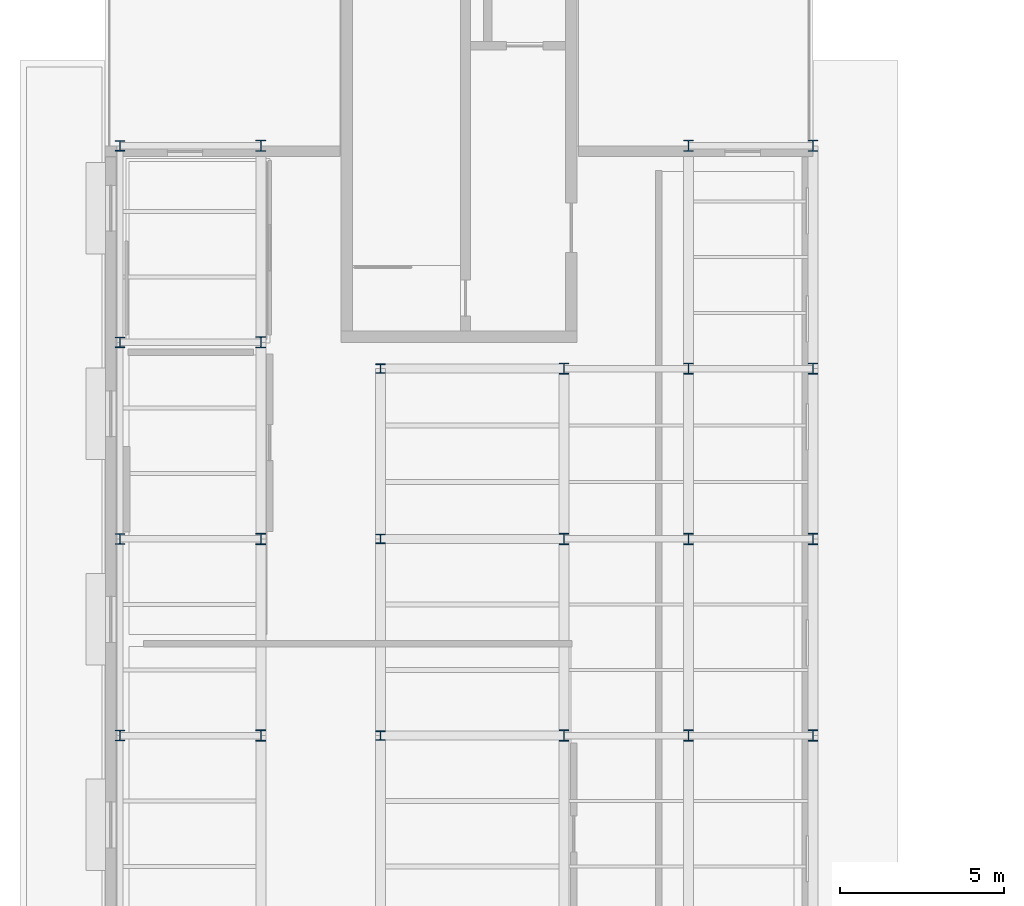
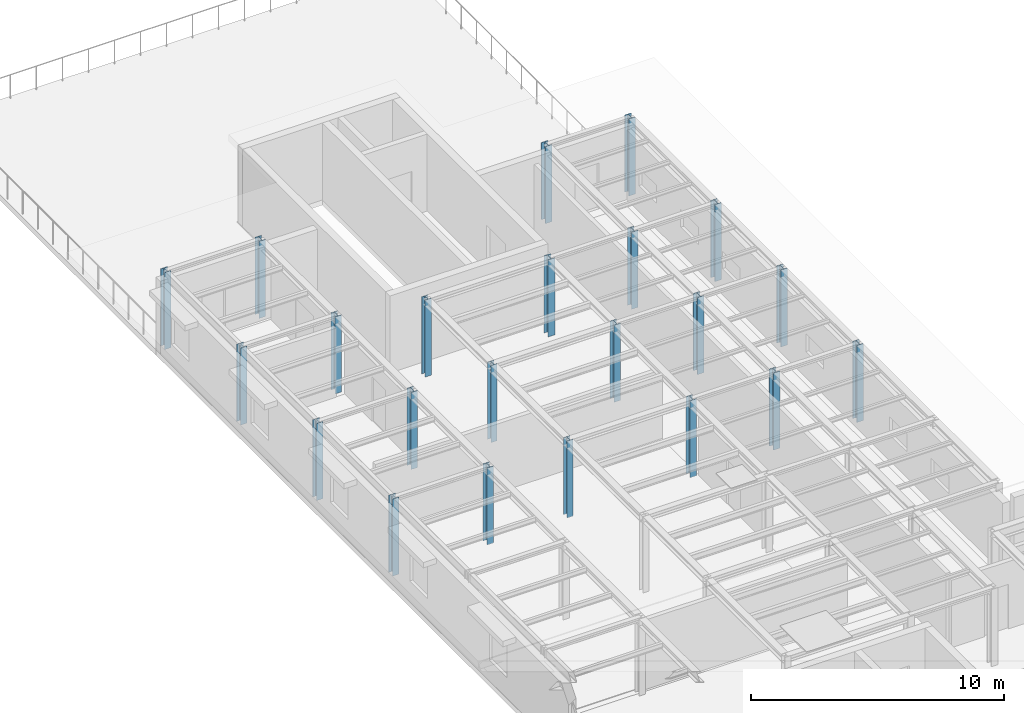
# One storey, part 3 of 10: 22 columns.
"""IFC4 building model written with IfcOpenShell, lengths in metres."""

from ifc_helpers import new_model, si_unit, direction, frame, origin, origin_2d, place, context, subcontext, project, spatial, i_section, extrude, material, material_profile, profile_set, type_object, element, save


model = new_model("IFC4")

# Units and contexts
model_context = context("Model", 3, precision=1e-05, world=origin(), true_north=direction((0.0, 1.0)))
body_context = subcontext(model_context, "Body", "Model", "MODEL_VIEW")
ifc_project = project(units=[si_unit("LENGTHUNIT", "METRE"), si_unit("AREAUNIT", "SQUARE_METRE"), si_unit("VOLUMEUNIT", "CUBIC_METRE"), si_unit("PLANEANGLEUNIT", "RADIAN"), si_unit("MASSUNIT", "GRAM", prefix="KILO")], contexts=[model_context])

# Site, building, storey
site_placement = place(None, origin())
site = spatial("IfcSite", under=ifc_project, at=site_placement, CompositionType="ELEMENT")
building_placement = place(site_placement, origin())
building = spatial("IfcBuilding", under=site, at=building_placement, Name="Kolvaren Corner Interchange", CompositionType="ELEMENT")
storey_placement = place(building_placement, frame((0.0, 0.0, 18.75)))
storey = spatial("IfcBuildingStorey", under=building, at=storey_placement, Name="L05", CompositionType="ELEMENT", Elevation=18.75)

# Columns
ifc_material_1 = material(Name="Steel S355", Category="steel")
ifc_material_profile_1 = material_profile(ifc_material_1, i_section(OverallWidth=0.280029296875, OverallDepth=0.280029296875, WebThickness=0.010498046875, FlangeThickness=0.01806640625, FilletRadius=0.02392578125, at=origin_2d()), Name="HEB 280")
ifc_profile_set_1 = profile_set([ifc_material_profile_1], Name="Steel S355")
column_type_1 = type_object("IfcColumnType", Name="COL-HEB280", PredefinedType="COLUMN", material=ifc_profile_set_1)
for number, where, z_axis, x_axis, name in (
    (1, (8.39990234375, 36.0, 0.0), (0.0, 0.0, 1.0), (1.0, 0.0, 0.0), "Storey L05 Structural Column 0235"),
    (2, (8.39990234375, 42.0, 0.0), (0.0, 0.0, 1.0), (1.0, 0.0, 0.0), "Storey L05 Structural Column 0241"),
    (3, (8.39990234375, 47.199951171875, 0.0), (0.0, 0.0, 1.0), (1.0, 0.0, 0.0), "Storey L05 Structural Column 0247"),
):
    element("IfcColumn", number, at=place(storey_placement, frame(where, z_axis=z_axis, x_axis=x_axis)), inside=storey, type_object=column_type_1, Name=name, PredefinedType="COLUMN", context=body_context, shape_type="SweptSolid", body=[
        extrude(i_section(OverallWidth=0.280029296875, OverallDepth=0.280029296875, WebThickness=0.010498046875, FlangeThickness=0.01806640625, FilletRadius=0.02392578125, at=origin_2d()), origin(), (0.0, 0.0, 1.0), 3.7099609375),
    ])
ifc_material_2 = material(Name="Steel S355", Category="steel")
ifc_material_profile_2 = material_profile(ifc_material_2, i_section(OverallWidth=0.300048828125, OverallDepth=0.320068359375, WebThickness=0.011474609375, FlangeThickness=0.0205078125, FilletRadius=0.027099609375, at=origin_2d()), Name="HEB 320")
ifc_profile_set_2 = profile_set([ifc_material_profile_2], Name="Steel S355")
column_type_2 = type_object("IfcColumnType", Name="COL-HEB320", PredefinedType="COLUMN", material=ifc_profile_set_2)
for number, where, z_axis, x_axis, name in (
    (4, (0.449951171875, 36.0, 0.0), (0.0, 0.0, 1.0), (1.0, 0.0, 0.0), "Storey L05 Structural Column 0035"),
    (5, (0.449951171875, 42.0, 0.0), (0.0, 0.0, 1.0), (1.0, 0.0, 0.0), "Storey L05 Structural Column 0040"),
    (6, (0.449951171875, 48.0, 0.0), (0.0, 0.0, 1.0), (1.0, 0.0, 0.0), "Storey L05 Structural Column 0045"),
    (7, (0.449951171875, 54.0, 0.0), (0.0, 0.0, 1.0), (1.0, 0.0, 0.0), "Storey L05 Structural Column 0050"),
):
    element("IfcColumn", number, at=place(storey_placement, frame(where, z_axis=z_axis, x_axis=x_axis)), inside=storey, type_object=column_type_2, Name=name, PredefinedType="COLUMN", context=body_context, shape_type="SweptSolid", body=[
        extrude(i_section(OverallWidth=0.300048828125, OverallDepth=0.320068359375, WebThickness=0.011474609375, FlangeThickness=0.0205078125, FilletRadius=0.027099609375, at=origin_2d()), origin(), (0.0, 0.0, 1.0), 3.7099609375),
    ])
ifc_material_3 = material(Name="Steel S355", Category="steel")
ifc_material_profile_3 = material_profile(ifc_material_3, i_section(OverallWidth=0.300048828125, OverallDepth=0.340087890625, WebThickness=0.011962890625, FlangeThickness=0.021484375, FilletRadius=0.027099609375, at=origin_2d()), Name="HEB 340")
ifc_profile_set_3 = profile_set([ifc_material_profile_3], Name="Steel S355")
column_type_3 = type_object("IfcColumnType", Name="COL-HEB340", PredefinedType="COLUMN", material=ifc_profile_set_3)
for number, where, z_axis, x_axis, name in (
    (8, (4.75, 36.0, 0.0), (0.0, 0.0, 1.0), (1.0, 0.0, 0.0), "Storey L05 Structural Column 0103"),
    (9, (4.75, 42.0, 0.0), (0.0, 0.0, 1.0), (1.0, 0.0, 0.0), "Storey L05 Structural Column 0108"),
    (10, (4.75, 48.0, 0.0), (0.0, 0.0, 1.0), (1.0, 0.0, 0.0), "Storey L05 Structural Column 0113"),
    (11, (4.75, 54.0, 0.0), (0.0, 0.0, 1.0), (1.0, 0.0, 0.0), "Storey L05 Structural Column 0118"),
    (12, (14.0, 36.0, 0.0), (0.0, 0.0, 1.0), (1.0, 0.0, 0.0), "Storey L05 Structural Column 0271"),
    (13, (14.0, 42.0, 0.0), (0.0, 0.0, 1.0), (1.0, 0.0, 0.0), "Storey L05 Structural Column 0277"),
    (14, (14.0, 47.199951171875, 0.0), (0.0, 0.0, 1.0), (1.0, 0.0, 0.0), "Storey L05 Structural Column 0283"),
    (15, (17.800048828125, 36.0, 0.0), (0.0, 0.0, 1.0), (1.0, 0.0, 0.0), "Storey L05 Structural Column 0307"),
    (16, (17.800048828125, 42.0, 0.0), (0.0, 0.0, 1.0), (1.0, 0.0, 0.0), "Storey L05 Structural Column 0313"),
    (17, (17.800048828125, 47.199951171875, 0.0), (0.0, 0.0, 1.0), (1.0, 0.0, 0.0), "Storey L05 Structural Column 0319"),
    (18, (17.800048828125, 54.0, 0.0), (0.0, 0.0, 1.0), (1.0, 0.0, 0.0), "Storey L05 Structural Column 0325"),
    (19, (21.60009765625, 36.0, 0.0), (0.0, 0.0, 1.0), (1.0, 0.0, 0.0), "Storey L05 Structural Column 0348"),
    (20, (21.60009765625, 42.0, 0.0), (0.0, 0.0, 1.0), (1.0, 0.0, 0.0), "Storey L05 Structural Column 0354"),
    (21, (21.60009765625, 47.199951171875, 0.0), (0.0, 0.0, 1.0), (1.0, 0.0, 0.0), "Storey L05 Structural Column 0360"),
    (22, (21.60009765625, 54.0, 0.0), (0.0, 0.0, 1.0), (1.0, 0.0, 0.0), "Storey L05 Structural Column 0366"),
):
    element("IfcColumn", number, at=place(storey_placement, frame(where, z_axis=z_axis, x_axis=x_axis)), inside=storey, type_object=column_type_3, Name=name, PredefinedType="COLUMN", context=body_context, shape_type="SweptSolid", body=[
        extrude(i_section(OverallWidth=0.300048828125, OverallDepth=0.340087890625, WebThickness=0.011962890625, FlangeThickness=0.021484375, FilletRadius=0.027099609375, at=origin_2d()), origin(), (0.0, 0.0, 1.0), 3.7099609375),
    ])

save(model, "model.ifc")
